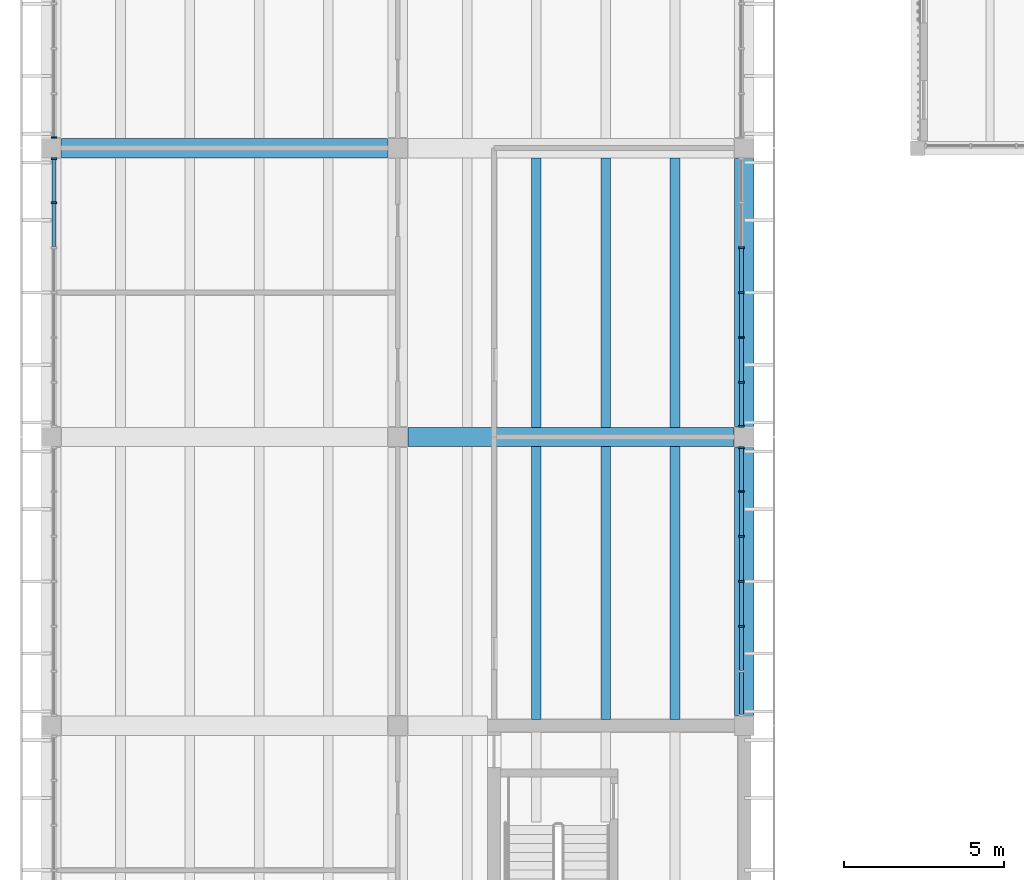
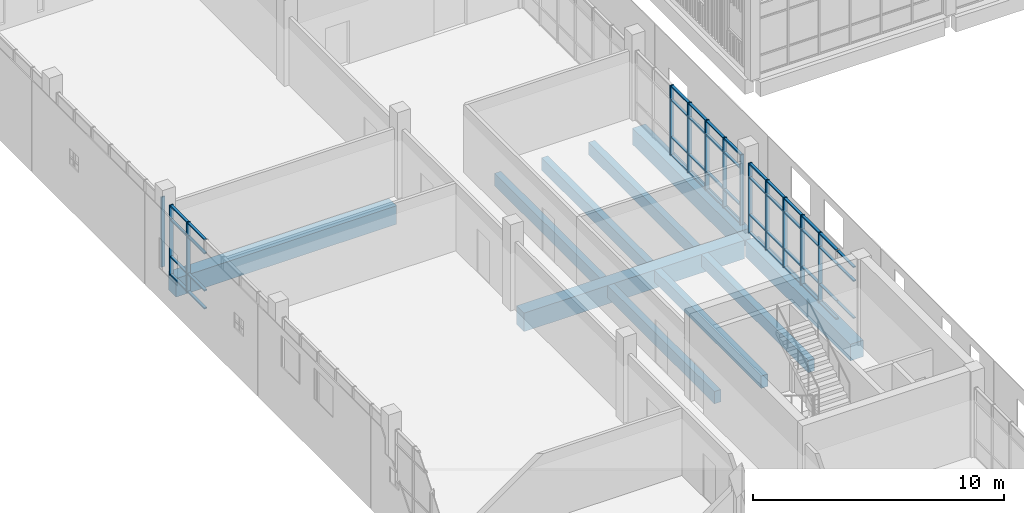
# One storey, part 21 of 88: 60 members, 10 beams, 4 elements without a shape of their own.
"""IFC4 building model written with IfcOpenShell, lengths in metres."""

from ifc_helpers import new_model, si_unit, direction, frame, origin, origin_2d, place, context, subcontext, project, spatial, rectangle, extrude, material, material_profile, profile_set, type_object, element, aggregate, save


model = new_model("IFC4")

# Units and contexts
model_context = context("Model", 3, precision=1e-05, world=origin(), true_north=direction((0.0, 1.0)))
body_context = subcontext(model_context, "Body", "Model", "MODEL_VIEW")
ifc_project = project(units=[si_unit("LENGTHUNIT", "METRE"), si_unit("AREAUNIT", "SQUARE_METRE"), si_unit("VOLUMEUNIT", "CUBIC_METRE"), si_unit("PLANEANGLEUNIT", "RADIAN"), si_unit("MASSUNIT", "GRAM", prefix="KILO")], contexts=[model_context])

# Site, building, storey
site_placement = place(None, origin())
site = spatial("IfcSite", under=ifc_project, at=site_placement, CompositionType="ELEMENT")
building_placement = place(site_placement, origin())
building = spatial("IfcBuilding", under=site, at=building_placement, Name="Merrow Basin Faculty of Sciences", CompositionType="ELEMENT")
storey_placement = place(building_placement, frame((0.0, 0.0, 9.0)))
storey = spatial("IfcBuildingStorey", under=building, at=storey_placement, Name="L02", CompositionType="ELEMENT", Elevation=9.0)

# Curtain wall, members
ifc_material_1 = material(Name="Aluminium alloy 6063", Category="aluminium")
curtain_wall_type = type_object("IfcCurtainWallType", Name="Bar unitised curtain wall 180", PredefinedType="NOTDEFINED", material=ifc_material_1)
curtain_wall_1_placement = place(storey_placement, origin())
curtain_wall_1 = element("IfcCurtainWall", 1, at=curtain_wall_1_placement, inside=storey, type_object=curtain_wall_type, Name="West curtain wall L02 5", PredefinedType="NOTDEFINED")
ifc_material_2 = material(Name="Aluminium alloy 6063", Category="aluminium")
ifc_material_profile_1 = material_profile(ifc_material_2, rectangle(XDim=0.179931640625, YDim=0.06005859375, at=origin_2d()))
ifc_profile_set_1 = profile_set([ifc_material_profile_1], Name="Aluminium alloy 6063")
member_type_1 = type_object("IfcMemberType", Name="Aluminium mullion 60x180", PredefinedType="MULLION", material=ifc_profile_set_1)
member_1_placement = place(storey_placement, frame((0.090087890625, 113.300048828125, 0.0), z_axis=(0.0, 0.0, 1.0), x_axis=(-1.0, 0.0, 0.0)))
member_1 = element("IfcMember", 2, at=member_1_placement, type_object=member_type_1, Name="CW1 mullion 6", PredefinedType="MULLION", context=body_context, shape_type="SweptSolid", body=[
    extrude(rectangle(XDim=0.179931640625, YDim=0.06005859375, at=origin_2d()), origin(), (0.0, 0.0, 1.0), 3.39990234375),
])
member_2_placement = place(storey_placement, frame((0.090087890625, 114.669921875, 0.0), z_axis=(0.0, 0.0, 1.0), x_axis=(-1.0, 0.0, 0.0)))
member_2 = element("IfcMember", 3, at=member_2_placement, type_object=member_type_1, Name="CW1 mullion 7", PredefinedType="MULLION", context=body_context, shape_type="SweptSolid", body=[
    extrude(rectangle(XDim=0.179931640625, YDim=0.06005859375, at=origin_2d()), origin(), (0.0, 0.0, 1.0), 3.39990234375),
])

# Curtain wall, member
curtain_wall_2_placement = place(storey_placement, origin())
curtain_wall_2 = element("IfcCurtainWall", 4, at=curtain_wall_2_placement, inside=storey, type_object=curtain_wall_type, Name="West curtain wall L02 6", PredefinedType="NOTDEFINED")
member_3_placement = place(storey_placement, frame((0.090087890625, 115.330078125, 0.0), z_axis=(0.0, 0.0, 1.0), x_axis=(-1.0, 0.0, 0.0)))
member_3 = element("IfcMember", 5, at=member_3_placement, type_object=member_type_1, Name="CW1 mullion 1", PredefinedType="MULLION", context=body_context, shape_type="SweptSolid", body=[
    extrude(rectangle(XDim=0.179931640625, YDim=0.06005859375, at=origin_2d()), origin(), (0.0, 0.0, 1.0), 3.39990234375),
])
aggregate(curtain_wall_2, [member_3])

# Curtain wall, members
curtain_wall_3_placement = place(storey_placement, origin())
curtain_wall_3 = element("IfcCurtainWall", 6, at=curtain_wall_3_placement, inside=storey, type_object=curtain_wall_type, Name="East curtain wall L02 4", PredefinedType="NOTDEFINED")
member_4_placement = place(storey_placement, frame((21.510009765625, 100.10009765625, 0.0), z_axis=(0.0, 0.0, 1.0), x_axis=(-1.0, 0.0, 0.0)))
member_4 = element("IfcMember", 7, at=member_4_placement, type_object=member_type_1, Name="CW1 mullion 3", PredefinedType="MULLION", context=body_context, shape_type="SweptSolid", body=[
    extrude(rectangle(XDim=0.179931640625, YDim=0.06005859375, at=origin_2d()), origin(), (0.0, 0.0, 1.0), 3.39990234375),
])
member_5_placement = place(storey_placement, frame((21.510009765625, 101.5, 0.0), z_axis=(0.0, 0.0, 1.0), x_axis=(-1.0, 0.0, 0.0)))
member_5 = element("IfcMember", 8, at=member_5_placement, type_object=member_type_1, Name="CW1 mullion 4", PredefinedType="MULLION", context=body_context, shape_type="SweptSolid", body=[
    extrude(rectangle(XDim=0.179931640625, YDim=0.06005859375, at=origin_2d()), origin(), (0.0, 0.0, 1.0), 3.39990234375),
])
member_6_placement = place(storey_placement, frame((21.510009765625, 102.89990234375, 0.0), z_axis=(0.0, 0.0, 1.0), x_axis=(-1.0, 0.0, 0.0)))
member_6 = element("IfcMember", 9, at=member_6_placement, type_object=member_type_1, Name="CW1 mullion 5", PredefinedType="MULLION", context=body_context, shape_type="SweptSolid", body=[
    extrude(rectangle(XDim=0.179931640625, YDim=0.06005859375, at=origin_2d()), origin(), (0.0, 0.0, 1.0), 3.39990234375),
])
member_7_placement = place(storey_placement, frame((21.510009765625, 104.300048828125, 0.0), z_axis=(0.0, 0.0, 1.0), x_axis=(-1.0, 0.0, 0.0)))
member_7 = element("IfcMember", 10, at=member_7_placement, type_object=member_type_1, Name="CW1 mullion 6", PredefinedType="MULLION", context=body_context, shape_type="SweptSolid", body=[
    extrude(rectangle(XDim=0.179931640625, YDim=0.06005859375, at=origin_2d()), origin(), (0.0, 0.0, 1.0), 3.39990234375),
])
member_8_placement = place(storey_placement, frame((21.510009765625, 105.669921875, 0.0), z_axis=(0.0, 0.0, 1.0), x_axis=(-1.0, 0.0, 0.0)))
member_8 = element("IfcMember", 11, at=member_8_placement, type_object=member_type_1, Name="CW1 mullion 7", PredefinedType="MULLION", context=body_context, shape_type="SweptSolid", body=[
    extrude(rectangle(XDim=0.179931640625, YDim=0.06005859375, at=origin_2d()), origin(), (0.0, 0.0, 1.0), 3.39990234375),
])

curtain_wall_4_placement = place(storey_placement, origin())
curtain_wall_4 = element("IfcCurtainWall", 12, at=curtain_wall_4_placement, inside=storey, type_object=curtain_wall_type, Name="East curtain wall L02 5", PredefinedType="NOTDEFINED")
member_9_placement = place(storey_placement, frame((21.510009765625, 106.330078125, 0.0), z_axis=(0.0, 0.0, 1.0), x_axis=(-1.0, 0.0, 0.0)))
member_9 = element("IfcMember", 13, at=member_9_placement, type_object=member_type_1, Name="CW1 mullion 1", PredefinedType="MULLION", context=body_context, shape_type="SweptSolid", body=[
    extrude(rectangle(XDim=0.179931640625, YDim=0.06005859375, at=origin_2d()), origin(), (0.0, 0.0, 1.0), 3.39990234375),
])
member_10_placement = place(storey_placement, frame((21.510009765625, 107.699951171875, 0.0), z_axis=(0.0, 0.0, 1.0), x_axis=(-1.0, 0.0, 0.0)))
member_10 = element("IfcMember", 14, at=member_10_placement, type_object=member_type_1, Name="CW1 mullion 2", PredefinedType="MULLION", context=body_context, shape_type="SweptSolid", body=[
    extrude(rectangle(XDim=0.179931640625, YDim=0.06005859375, at=origin_2d()), origin(), (0.0, 0.0, 1.0), 3.39990234375),
])
member_11_placement = place(storey_placement, frame((21.510009765625, 109.10009765625, 0.0), z_axis=(0.0, 0.0, 1.0), x_axis=(-1.0, 0.0, 0.0)))
member_11 = element("IfcMember", 15, at=member_11_placement, type_object=member_type_1, Name="CW1 mullion 3", PredefinedType="MULLION", context=body_context, shape_type="SweptSolid", body=[
    extrude(rectangle(XDim=0.179931640625, YDim=0.06005859375, at=origin_2d()), origin(), (0.0, 0.0, 1.0), 3.39990234375),
])
member_12_placement = place(storey_placement, frame((21.510009765625, 110.5, 0.0), z_axis=(0.0, 0.0, 1.0), x_axis=(-1.0, 0.0, 0.0)))
member_12 = element("IfcMember", 16, at=member_12_placement, type_object=member_type_1, Name="CW1 mullion 4", PredefinedType="MULLION", context=body_context, shape_type="SweptSolid", body=[
    extrude(rectangle(XDim=0.179931640625, YDim=0.06005859375, at=origin_2d()), origin(), (0.0, 0.0, 1.0), 3.39990234375),
])
member_13_placement = place(storey_placement, frame((21.510009765625, 111.89990234375, 0.0), z_axis=(0.0, 0.0, 1.0), x_axis=(-1.0, 0.0, 0.0)))
member_13 = element("IfcMember", 17, at=member_13_placement, type_object=member_type_1, Name="CW1 mullion 5", PredefinedType="MULLION", context=body_context, shape_type="SweptSolid", body=[
    extrude(rectangle(XDim=0.179931640625, YDim=0.06005859375, at=origin_2d()), origin(), (0.0, 0.0, 1.0), 3.39990234375),
])

# Member
ifc_material_3 = material(Name="Aluminium alloy 6063", Category="aluminium")
ifc_material_profile_2 = material_profile(ifc_material_3, rectangle(XDim=0.1201171875, YDim=0.06005859375, at=origin_2d()))
ifc_profile_set_2 = profile_set([ifc_material_profile_2], Name="Aluminium alloy 6063")
member_type_2 = type_object("IfcMemberType", Name="Aluminium transom 60x120", PredefinedType="USERDEFINED", material=ifc_profile_set_2)
member_14_placement = place(storey_placement, frame((0.090087890625, 111.929931640625, 0.030029296875), z_axis=(0.0, 1.0, 0.0), x_axis=(-1.0, 0.0, 0.0)))
member_14 = element("IfcMember", 18, at=member_14_placement, type_object=member_type_2, Name="CW1 transom 5.1", ObjectType="TRANSOM", PredefinedType="USERDEFINED", context=body_context, shape_type="SweptSolid", body=[
    extrude(rectangle(XDim=0.1201171875, YDim=0.06005859375, at=origin_2d()), origin(), (0.0, 0.0, 1.0), 1.340087890625),
])

member_15_placement = place(storey_placement, frame((0.090087890625, 111.929931640625, 0.89990234375), z_axis=(0.0, 1.0, 0.0), x_axis=(-1.0, 0.0, 0.0)))
member_15 = element("IfcMember", 19, at=member_15_placement, type_object=member_type_2, Name="CW1 transom 5.2", ObjectType="TRANSOM", PredefinedType="USERDEFINED", context=body_context, shape_type="SweptSolid", body=[
    extrude(rectangle(XDim=0.1201171875, YDim=0.06005859375, at=origin_2d()), origin(), (0.0, 0.0, 1.0), 1.340087890625),
])

member_16_placement = place(storey_placement, frame((0.090087890625, 111.929931640625, 2.699951171875), z_axis=(0.0, 1.0, 0.0), x_axis=(-1.0, 0.0, 0.0)))
member_16 = element("IfcMember", 20, at=member_16_placement, type_object=member_type_2, Name="CW1 transom 5.3", ObjectType="TRANSOM", PredefinedType="USERDEFINED", context=body_context, shape_type="SweptSolid", body=[
    extrude(rectangle(XDim=0.1201171875, YDim=0.06005859375, at=origin_2d()), origin(), (0.0, 0.0, 1.0), 1.340087890625),
])

member_17_placement = place(storey_placement, frame((0.090087890625, 111.929931640625, 3.3701171875), z_axis=(0.0, 1.0, 0.0), x_axis=(-1.0, 0.0, 0.0)))
member_17 = element("IfcMember", 21, at=member_17_placement, type_object=member_type_2, Name="CW1 transom 5.4", ObjectType="TRANSOM", PredefinedType="USERDEFINED", context=body_context, shape_type="SweptSolid", body=[
    extrude(rectangle(XDim=0.1201171875, YDim=0.06005859375, at=origin_2d()), origin(), (0.0, 0.0, 1.0), 1.340087890625),
])

member_18_placement = place(storey_placement, frame((0.090087890625, 113.330078125, 0.030029296875), z_axis=(0.0, 1.0, 0.0), x_axis=(-1.0, 0.0, 0.0)))
member_18 = element("IfcMember", 22, at=member_18_placement, type_object=member_type_2, Name="CW1 transom 6.1", ObjectType="TRANSOM", PredefinedType="USERDEFINED", context=body_context, shape_type="SweptSolid", body=[
    extrude(rectangle(XDim=0.1201171875, YDim=0.06005859375, at=origin_2d()), origin(), (0.0, 0.0, 1.0), 1.309814453125),
])

member_19_placement = place(storey_placement, frame((0.090087890625, 113.330078125, 0.89990234375), z_axis=(0.0, 1.0, 0.0), x_axis=(-1.0, 0.0, 0.0)))
member_19 = element("IfcMember", 23, at=member_19_placement, type_object=member_type_2, Name="CW1 transom 6.2", ObjectType="TRANSOM", PredefinedType="USERDEFINED", context=body_context, shape_type="SweptSolid", body=[
    extrude(rectangle(XDim=0.1201171875, YDim=0.06005859375, at=origin_2d()), origin(), (0.0, 0.0, 1.0), 1.309814453125),
])

member_20_placement = place(storey_placement, frame((0.090087890625, 113.330078125, 2.699951171875), z_axis=(0.0, 1.0, 0.0), x_axis=(-1.0, 0.0, 0.0)))
member_20 = element("IfcMember", 24, at=member_20_placement, type_object=member_type_2, Name="CW1 transom 6.3", ObjectType="TRANSOM", PredefinedType="USERDEFINED", context=body_context, shape_type="SweptSolid", body=[
    extrude(rectangle(XDim=0.1201171875, YDim=0.06005859375, at=origin_2d()), origin(), (0.0, 0.0, 1.0), 1.309814453125),
])

member_21_placement = place(storey_placement, frame((0.090087890625, 113.330078125, 3.3701171875), z_axis=(0.0, 1.0, 0.0), x_axis=(-1.0, 0.0, 0.0)))
member_21 = element("IfcMember", 25, at=member_21_placement, type_object=member_type_2, Name="CW1 transom 6.4", ObjectType="TRANSOM", PredefinedType="USERDEFINED", context=body_context, shape_type="SweptSolid", body=[
    extrude(rectangle(XDim=0.1201171875, YDim=0.06005859375, at=origin_2d()), origin(), (0.0, 0.0, 1.0), 1.309814453125),
])

aggregate(curtain_wall_1, [member_1, member_2, member_14, member_15, member_16, member_17, member_18, member_19, member_20, member_21])

member_22_placement = place(storey_placement, frame((21.510009765625, 97.360107421875, 0.89990234375), z_axis=(0.0, 1.0, 0.0), x_axis=(-1.0, 0.0, 0.0)))
member_22 = element("IfcMember", 26, at=member_22_placement, type_object=member_type_2, Name="CW1 transom 1.2", ObjectType="TRANSOM", PredefinedType="USERDEFINED", context=body_context, shape_type="SweptSolid", body=[
    extrude(rectangle(XDim=0.1201171875, YDim=0.06005859375, at=origin_2d()), origin(), (0.0, 0.0, 1.0), 1.309814453125),
])

member_23_placement = place(storey_placement, frame((21.510009765625, 97.360107421875, 2.699951171875), z_axis=(0.0, 1.0, 0.0), x_axis=(-1.0, 0.0, 0.0)))
member_23 = element("IfcMember", 27, at=member_23_placement, type_object=member_type_2, Name="CW1 transom 1.3", ObjectType="TRANSOM", PredefinedType="USERDEFINED", context=body_context, shape_type="SweptSolid", body=[
    extrude(rectangle(XDim=0.1201171875, YDim=0.06005859375, at=origin_2d()), origin(), (0.0, 0.0, 1.0), 1.309814453125),
])

member_24_placement = place(storey_placement, frame((21.510009765625, 97.360107421875, 3.3701171875), z_axis=(0.0, 1.0, 0.0), x_axis=(-1.0, 0.0, 0.0)))
member_24 = element("IfcMember", 28, at=member_24_placement, type_object=member_type_2, Name="CW1 transom 1.4", ObjectType="TRANSOM", PredefinedType="USERDEFINED", context=body_context, shape_type="SweptSolid", body=[
    extrude(rectangle(XDim=0.1201171875, YDim=0.06005859375, at=origin_2d()), origin(), (0.0, 0.0, 1.0), 1.309814453125),
])

member_25_placement = place(storey_placement, frame((21.510009765625, 98.72998046875, 0.030029296875), z_axis=(0.0, 1.0, 0.0), x_axis=(-1.0, 0.0, 0.0)))
member_25 = element("IfcMember", 29, at=member_25_placement, type_object=member_type_2, Name="CW1 transom 2.1", ObjectType="TRANSOM", PredefinedType="USERDEFINED", context=body_context, shape_type="SweptSolid", body=[
    extrude(rectangle(XDim=0.1201171875, YDim=0.06005859375, at=origin_2d()), origin(), (0.0, 0.0, 1.0), 1.340087890625),
])

member_26_placement = place(storey_placement, frame((21.510009765625, 98.72998046875, 0.89990234375), z_axis=(0.0, 1.0, 0.0), x_axis=(-1.0, 0.0, 0.0)))
member_26 = element("IfcMember", 30, at=member_26_placement, type_object=member_type_2, Name="CW1 transom 2.2", ObjectType="TRANSOM", PredefinedType="USERDEFINED", context=body_context, shape_type="SweptSolid", body=[
    extrude(rectangle(XDim=0.1201171875, YDim=0.06005859375, at=origin_2d()), origin(), (0.0, 0.0, 1.0), 1.340087890625),
])

member_27_placement = place(storey_placement, frame((21.510009765625, 98.72998046875, 2.699951171875), z_axis=(0.0, 1.0, 0.0), x_axis=(-1.0, 0.0, 0.0)))
member_27 = element("IfcMember", 31, at=member_27_placement, type_object=member_type_2, Name="CW1 transom 2.3", ObjectType="TRANSOM", PredefinedType="USERDEFINED", context=body_context, shape_type="SweptSolid", body=[
    extrude(rectangle(XDim=0.1201171875, YDim=0.06005859375, at=origin_2d()), origin(), (0.0, 0.0, 1.0), 1.340087890625),
])

member_28_placement = place(storey_placement, frame((21.510009765625, 98.72998046875, 3.3701171875), z_axis=(0.0, 1.0, 0.0), x_axis=(-1.0, 0.0, 0.0)))
member_28 = element("IfcMember", 32, at=member_28_placement, type_object=member_type_2, Name="CW1 transom 2.4", ObjectType="TRANSOM", PredefinedType="USERDEFINED", context=body_context, shape_type="SweptSolid", body=[
    extrude(rectangle(XDim=0.1201171875, YDim=0.06005859375, at=origin_2d()), origin(), (0.0, 0.0, 1.0), 1.340087890625),
])

member_29_placement = place(storey_placement, frame((21.510009765625, 100.1298828125, 0.030029296875), z_axis=(0.0, 1.0, 0.0), x_axis=(-1.0, 0.0, 0.0)))
member_29 = element("IfcMember", 33, at=member_29_placement, type_object=member_type_2, Name="CW1 transom 3.1", ObjectType="TRANSOM", PredefinedType="USERDEFINED", context=body_context, shape_type="SweptSolid", body=[
    extrude(rectangle(XDim=0.1201171875, YDim=0.06005859375, at=origin_2d()), origin(), (0.0, 0.0, 1.0), 1.340087890625),
])

member_30_placement = place(storey_placement, frame((21.510009765625, 100.1298828125, 0.89990234375), z_axis=(0.0, 1.0, 0.0), x_axis=(-1.0, 0.0, 0.0)))
member_30 = element("IfcMember", 34, at=member_30_placement, type_object=member_type_2, Name="CW1 transom 3.2", ObjectType="TRANSOM", PredefinedType="USERDEFINED", context=body_context, shape_type="SweptSolid", body=[
    extrude(rectangle(XDim=0.1201171875, YDim=0.06005859375, at=origin_2d()), origin(), (0.0, 0.0, 1.0), 1.340087890625),
])

member_31_placement = place(storey_placement, frame((21.510009765625, 100.1298828125, 2.699951171875), z_axis=(0.0, 1.0, 0.0), x_axis=(-1.0, 0.0, 0.0)))
member_31 = element("IfcMember", 35, at=member_31_placement, type_object=member_type_2, Name="CW1 transom 3.3", ObjectType="TRANSOM", PredefinedType="USERDEFINED", context=body_context, shape_type="SweptSolid", body=[
    extrude(rectangle(XDim=0.1201171875, YDim=0.06005859375, at=origin_2d()), origin(), (0.0, 0.0, 1.0), 1.340087890625),
])

member_32_placement = place(storey_placement, frame((21.510009765625, 100.1298828125, 3.3701171875), z_axis=(0.0, 1.0, 0.0), x_axis=(-1.0, 0.0, 0.0)))
member_32 = element("IfcMember", 36, at=member_32_placement, type_object=member_type_2, Name="CW1 transom 3.4", ObjectType="TRANSOM", PredefinedType="USERDEFINED", context=body_context, shape_type="SweptSolid", body=[
    extrude(rectangle(XDim=0.1201171875, YDim=0.06005859375, at=origin_2d()), origin(), (0.0, 0.0, 1.0), 1.340087890625),
])

member_33_placement = place(storey_placement, frame((21.510009765625, 101.530029296875, 0.030029296875), z_axis=(0.0, 1.0, 0.0), x_axis=(-1.0, 0.0, 0.0)))
member_33 = element("IfcMember", 37, at=member_33_placement, type_object=member_type_2, Name="CW1 transom 4.1", ObjectType="TRANSOM", PredefinedType="USERDEFINED", context=body_context, shape_type="SweptSolid", body=[
    extrude(rectangle(XDim=0.1201171875, YDim=0.06005859375, at=origin_2d()), origin(), (0.0, 0.0, 1.0), 1.340087890625),
])

member_34_placement = place(storey_placement, frame((21.510009765625, 101.530029296875, 0.89990234375), z_axis=(0.0, 1.0, 0.0), x_axis=(-1.0, 0.0, 0.0)))
member_34 = element("IfcMember", 38, at=member_34_placement, type_object=member_type_2, Name="CW1 transom 4.2", ObjectType="TRANSOM", PredefinedType="USERDEFINED", context=body_context, shape_type="SweptSolid", body=[
    extrude(rectangle(XDim=0.1201171875, YDim=0.06005859375, at=origin_2d()), origin(), (0.0, 0.0, 1.0), 1.340087890625),
])

member_35_placement = place(storey_placement, frame((21.510009765625, 101.530029296875, 2.699951171875), z_axis=(0.0, 1.0, 0.0), x_axis=(-1.0, 0.0, 0.0)))
member_35 = element("IfcMember", 39, at=member_35_placement, type_object=member_type_2, Name="CW1 transom 4.3", ObjectType="TRANSOM", PredefinedType="USERDEFINED", context=body_context, shape_type="SweptSolid", body=[
    extrude(rectangle(XDim=0.1201171875, YDim=0.06005859375, at=origin_2d()), origin(), (0.0, 0.0, 1.0), 1.340087890625),
])

member_36_placement = place(storey_placement, frame((21.510009765625, 101.530029296875, 3.3701171875), z_axis=(0.0, 1.0, 0.0), x_axis=(-1.0, 0.0, 0.0)))
member_36 = element("IfcMember", 40, at=member_36_placement, type_object=member_type_2, Name="CW1 transom 4.4", ObjectType="TRANSOM", PredefinedType="USERDEFINED", context=body_context, shape_type="SweptSolid", body=[
    extrude(rectangle(XDim=0.1201171875, YDim=0.06005859375, at=origin_2d()), origin(), (0.0, 0.0, 1.0), 1.340087890625),
])

member_37_placement = place(storey_placement, frame((21.510009765625, 102.929931640625, 0.030029296875), z_axis=(0.0, 1.0, 0.0), x_axis=(-1.0, 0.0, 0.0)))
member_37 = element("IfcMember", 41, at=member_37_placement, type_object=member_type_2, Name="CW1 transom 5.1", ObjectType="TRANSOM", PredefinedType="USERDEFINED", context=body_context, shape_type="SweptSolid", body=[
    extrude(rectangle(XDim=0.1201171875, YDim=0.06005859375, at=origin_2d()), origin(), (0.0, 0.0, 1.0), 1.340087890625),
])

member_38_placement = place(storey_placement, frame((21.510009765625, 102.929931640625, 0.89990234375), z_axis=(0.0, 1.0, 0.0), x_axis=(-1.0, 0.0, 0.0)))
member_38 = element("IfcMember", 42, at=member_38_placement, type_object=member_type_2, Name="CW1 transom 5.2", ObjectType="TRANSOM", PredefinedType="USERDEFINED", context=body_context, shape_type="SweptSolid", body=[
    extrude(rectangle(XDim=0.1201171875, YDim=0.06005859375, at=origin_2d()), origin(), (0.0, 0.0, 1.0), 1.340087890625),
])

member_39_placement = place(storey_placement, frame((21.510009765625, 102.929931640625, 2.699951171875), z_axis=(0.0, 1.0, 0.0), x_axis=(-1.0, 0.0, 0.0)))
member_39 = element("IfcMember", 43, at=member_39_placement, type_object=member_type_2, Name="CW1 transom 5.3", ObjectType="TRANSOM", PredefinedType="USERDEFINED", context=body_context, shape_type="SweptSolid", body=[
    extrude(rectangle(XDim=0.1201171875, YDim=0.06005859375, at=origin_2d()), origin(), (0.0, 0.0, 1.0), 1.340087890625),
])

member_40_placement = place(storey_placement, frame((21.510009765625, 102.929931640625, 3.3701171875), z_axis=(0.0, 1.0, 0.0), x_axis=(-1.0, 0.0, 0.0)))
member_40 = element("IfcMember", 44, at=member_40_placement, type_object=member_type_2, Name="CW1 transom 5.4", ObjectType="TRANSOM", PredefinedType="USERDEFINED", context=body_context, shape_type="SweptSolid", body=[
    extrude(rectangle(XDim=0.1201171875, YDim=0.06005859375, at=origin_2d()), origin(), (0.0, 0.0, 1.0), 1.340087890625),
])

member_41_placement = place(storey_placement, frame((21.510009765625, 104.330078125, 0.030029296875), z_axis=(0.0, 1.0, 0.0), x_axis=(-1.0, 0.0, 0.0)))
member_41 = element("IfcMember", 45, at=member_41_placement, type_object=member_type_2, Name="CW1 transom 6.1", ObjectType="TRANSOM", PredefinedType="USERDEFINED", context=body_context, shape_type="SweptSolid", body=[
    extrude(rectangle(XDim=0.1201171875, YDim=0.06005859375, at=origin_2d()), origin(), (0.0, 0.0, 1.0), 1.309814453125),
])

member_42_placement = place(storey_placement, frame((21.510009765625, 104.330078125, 0.89990234375), z_axis=(0.0, 1.0, 0.0), x_axis=(-1.0, 0.0, 0.0)))
member_42 = element("IfcMember", 46, at=member_42_placement, type_object=member_type_2, Name="CW1 transom 6.2", ObjectType="TRANSOM", PredefinedType="USERDEFINED", context=body_context, shape_type="SweptSolid", body=[
    extrude(rectangle(XDim=0.1201171875, YDim=0.06005859375, at=origin_2d()), origin(), (0.0, 0.0, 1.0), 1.309814453125),
])

member_43_placement = place(storey_placement, frame((21.510009765625, 104.330078125, 2.699951171875), z_axis=(0.0, 1.0, 0.0), x_axis=(-1.0, 0.0, 0.0)))
member_43 = element("IfcMember", 47, at=member_43_placement, type_object=member_type_2, Name="CW1 transom 6.3", ObjectType="TRANSOM", PredefinedType="USERDEFINED", context=body_context, shape_type="SweptSolid", body=[
    extrude(rectangle(XDim=0.1201171875, YDim=0.06005859375, at=origin_2d()), origin(), (0.0, 0.0, 1.0), 1.309814453125),
])

member_44_placement = place(storey_placement, frame((21.510009765625, 104.330078125, 3.3701171875), z_axis=(0.0, 1.0, 0.0), x_axis=(-1.0, 0.0, 0.0)))
member_44 = element("IfcMember", 48, at=member_44_placement, type_object=member_type_2, Name="CW1 transom 6.4", ObjectType="TRANSOM", PredefinedType="USERDEFINED", context=body_context, shape_type="SweptSolid", body=[
    extrude(rectangle(XDim=0.1201171875, YDim=0.06005859375, at=origin_2d()), origin(), (0.0, 0.0, 1.0), 1.309814453125),
])

aggregate(curtain_wall_3, [member_4, member_5, member_6, member_7, member_8, member_22, member_23, member_24, member_25, member_26, member_27, member_28, member_29, member_30, member_31, member_32, member_33, member_34, member_35, member_36, member_37, member_38, member_39, member_40, member_41, member_42, member_43, member_44])

member_45_placement = place(storey_placement, frame((21.510009765625, 106.360107421875, 0.030029296875), z_axis=(0.0, 1.0, 0.0), x_axis=(-1.0, 0.0, 0.0)))
member_45 = element("IfcMember", 49, at=member_45_placement, type_object=member_type_2, Name="CW1 transom 1.1", ObjectType="TRANSOM", PredefinedType="USERDEFINED", context=body_context, shape_type="SweptSolid", body=[
    extrude(rectangle(XDim=0.1201171875, YDim=0.06005859375, at=origin_2d()), origin(), (0.0, 0.0, 1.0), 1.309814453125),
])

member_46_placement = place(storey_placement, frame((21.510009765625, 106.360107421875, 0.89990234375), z_axis=(0.0, 1.0, 0.0), x_axis=(-1.0, 0.0, 0.0)))
member_46 = element("IfcMember", 50, at=member_46_placement, type_object=member_type_2, Name="CW1 transom 1.2", ObjectType="TRANSOM", PredefinedType="USERDEFINED", context=body_context, shape_type="SweptSolid", body=[
    extrude(rectangle(XDim=0.1201171875, YDim=0.06005859375, at=origin_2d()), origin(), (0.0, 0.0, 1.0), 1.309814453125),
])

member_47_placement = place(storey_placement, frame((21.510009765625, 106.360107421875, 2.699951171875), z_axis=(0.0, 1.0, 0.0), x_axis=(-1.0, 0.0, 0.0)))
member_47 = element("IfcMember", 51, at=member_47_placement, type_object=member_type_2, Name="CW1 transom 1.3", ObjectType="TRANSOM", PredefinedType="USERDEFINED", context=body_context, shape_type="SweptSolid", body=[
    extrude(rectangle(XDim=0.1201171875, YDim=0.06005859375, at=origin_2d()), origin(), (0.0, 0.0, 1.0), 1.309814453125),
])

member_48_placement = place(storey_placement, frame((21.510009765625, 106.360107421875, 3.3701171875), z_axis=(0.0, 1.0, 0.0), x_axis=(-1.0, 0.0, 0.0)))
member_48 = element("IfcMember", 52, at=member_48_placement, type_object=member_type_2, Name="CW1 transom 1.4", ObjectType="TRANSOM", PredefinedType="USERDEFINED", context=body_context, shape_type="SweptSolid", body=[
    extrude(rectangle(XDim=0.1201171875, YDim=0.06005859375, at=origin_2d()), origin(), (0.0, 0.0, 1.0), 1.309814453125),
])

member_49_placement = place(storey_placement, frame((21.510009765625, 107.72998046875, 0.030029296875), z_axis=(0.0, 1.0, 0.0), x_axis=(-1.0, 0.0, 0.0)))
member_49 = element("IfcMember", 53, at=member_49_placement, type_object=member_type_2, Name="CW1 transom 2.1", ObjectType="TRANSOM", PredefinedType="USERDEFINED", context=body_context, shape_type="SweptSolid", body=[
    extrude(rectangle(XDim=0.1201171875, YDim=0.06005859375, at=origin_2d()), origin(), (0.0, 0.0, 1.0), 1.340087890625),
])

member_50_placement = place(storey_placement, frame((21.510009765625, 107.72998046875, 0.89990234375), z_axis=(0.0, 1.0, 0.0), x_axis=(-1.0, 0.0, 0.0)))
member_50 = element("IfcMember", 54, at=member_50_placement, type_object=member_type_2, Name="CW1 transom 2.2", ObjectType="TRANSOM", PredefinedType="USERDEFINED", context=body_context, shape_type="SweptSolid", body=[
    extrude(rectangle(XDim=0.1201171875, YDim=0.06005859375, at=origin_2d()), origin(), (0.0, 0.0, 1.0), 1.340087890625),
])

member_51_placement = place(storey_placement, frame((21.510009765625, 107.72998046875, 2.699951171875), z_axis=(0.0, 1.0, 0.0), x_axis=(-1.0, 0.0, 0.0)))
member_51 = element("IfcMember", 55, at=member_51_placement, type_object=member_type_2, Name="CW1 transom 2.3", ObjectType="TRANSOM", PredefinedType="USERDEFINED", context=body_context, shape_type="SweptSolid", body=[
    extrude(rectangle(XDim=0.1201171875, YDim=0.06005859375, at=origin_2d()), origin(), (0.0, 0.0, 1.0), 1.340087890625),
])

member_52_placement = place(storey_placement, frame((21.510009765625, 107.72998046875, 3.3701171875), z_axis=(0.0, 1.0, 0.0), x_axis=(-1.0, 0.0, 0.0)))
member_52 = element("IfcMember", 56, at=member_52_placement, type_object=member_type_2, Name="CW1 transom 2.4", ObjectType="TRANSOM", PredefinedType="USERDEFINED", context=body_context, shape_type="SweptSolid", body=[
    extrude(rectangle(XDim=0.1201171875, YDim=0.06005859375, at=origin_2d()), origin(), (0.0, 0.0, 1.0), 1.340087890625),
])

member_53_placement = place(storey_placement, frame((21.510009765625, 109.1298828125, 0.030029296875), z_axis=(0.0, 1.0, 0.0), x_axis=(-1.0, 0.0, 0.0)))
member_53 = element("IfcMember", 57, at=member_53_placement, type_object=member_type_2, Name="CW1 transom 3.1", ObjectType="TRANSOM", PredefinedType="USERDEFINED", context=body_context, shape_type="SweptSolid", body=[
    extrude(rectangle(XDim=0.1201171875, YDim=0.06005859375, at=origin_2d()), origin(), (0.0, 0.0, 1.0), 1.340087890625),
])

member_54_placement = place(storey_placement, frame((21.510009765625, 109.1298828125, 0.89990234375), z_axis=(0.0, 1.0, 0.0), x_axis=(-1.0, 0.0, 0.0)))
member_54 = element("IfcMember", 58, at=member_54_placement, type_object=member_type_2, Name="CW1 transom 3.2", ObjectType="TRANSOM", PredefinedType="USERDEFINED", context=body_context, shape_type="SweptSolid", body=[
    extrude(rectangle(XDim=0.1201171875, YDim=0.06005859375, at=origin_2d()), origin(), (0.0, 0.0, 1.0), 1.340087890625),
])

member_55_placement = place(storey_placement, frame((21.510009765625, 109.1298828125, 2.699951171875), z_axis=(0.0, 1.0, 0.0), x_axis=(-1.0, 0.0, 0.0)))
member_55 = element("IfcMember", 59, at=member_55_placement, type_object=member_type_2, Name="CW1 transom 3.3", ObjectType="TRANSOM", PredefinedType="USERDEFINED", context=body_context, shape_type="SweptSolid", body=[
    extrude(rectangle(XDim=0.1201171875, YDim=0.06005859375, at=origin_2d()), origin(), (0.0, 0.0, 1.0), 1.340087890625),
])

member_56_placement = place(storey_placement, frame((21.510009765625, 109.1298828125, 3.3701171875), z_axis=(0.0, 1.0, 0.0), x_axis=(-1.0, 0.0, 0.0)))
member_56 = element("IfcMember", 60, at=member_56_placement, type_object=member_type_2, Name="CW1 transom 3.4", ObjectType="TRANSOM", PredefinedType="USERDEFINED", context=body_context, shape_type="SweptSolid", body=[
    extrude(rectangle(XDim=0.1201171875, YDim=0.06005859375, at=origin_2d()), origin(), (0.0, 0.0, 1.0), 1.340087890625),
])

member_57_placement = place(storey_placement, frame((21.510009765625, 110.530029296875, 0.030029296875), z_axis=(0.0, 1.0, 0.0), x_axis=(-1.0, 0.0, 0.0)))
member_57 = element("IfcMember", 61, at=member_57_placement, type_object=member_type_2, Name="CW1 transom 4.1", ObjectType="TRANSOM", PredefinedType="USERDEFINED", context=body_context, shape_type="SweptSolid", body=[
    extrude(rectangle(XDim=0.1201171875, YDim=0.06005859375, at=origin_2d()), origin(), (0.0, 0.0, 1.0), 1.340087890625),
])

member_58_placement = place(storey_placement, frame((21.510009765625, 110.530029296875, 0.89990234375), z_axis=(0.0, 1.0, 0.0), x_axis=(-1.0, 0.0, 0.0)))
member_58 = element("IfcMember", 62, at=member_58_placement, type_object=member_type_2, Name="CW1 transom 4.2", ObjectType="TRANSOM", PredefinedType="USERDEFINED", context=body_context, shape_type="SweptSolid", body=[
    extrude(rectangle(XDim=0.1201171875, YDim=0.06005859375, at=origin_2d()), origin(), (0.0, 0.0, 1.0), 1.340087890625),
])

member_59_placement = place(storey_placement, frame((21.510009765625, 110.530029296875, 2.699951171875), z_axis=(0.0, 1.0, 0.0), x_axis=(-1.0, 0.0, 0.0)))
member_59 = element("IfcMember", 63, at=member_59_placement, type_object=member_type_2, Name="CW1 transom 4.3", ObjectType="TRANSOM", PredefinedType="USERDEFINED", context=body_context, shape_type="SweptSolid", body=[
    extrude(rectangle(XDim=0.1201171875, YDim=0.06005859375, at=origin_2d()), origin(), (0.0, 0.0, 1.0), 1.340087890625),
])

member_60_placement = place(storey_placement, frame((21.510009765625, 110.530029296875, 3.3701171875), z_axis=(0.0, 1.0, 0.0), x_axis=(-1.0, 0.0, 0.0)))
member_60 = element("IfcMember", 64, at=member_60_placement, type_object=member_type_2, Name="CW1 transom 4.4", ObjectType="TRANSOM", PredefinedType="USERDEFINED", context=body_context, shape_type="SweptSolid", body=[
    extrude(rectangle(XDim=0.1201171875, YDim=0.06005859375, at=origin_2d()), origin(), (0.0, 0.0, 1.0), 1.340087890625),
])

aggregate(curtain_wall_4, [member_9, member_10, member_11, member_12, member_13, member_45, member_46, member_47, member_48, member_49, member_50, member_51, member_52, member_53, member_54, member_55, member_56, member_57, member_58, member_59, member_60])

# Beams
ifc_material_4 = material(Name="Concrete C40/50", Category="concrete")
ifc_material_profile_3 = material_profile(ifc_material_4, rectangle(XDim=0.60009765625, YDim=0.800048828125, at=origin_2d()))
ifc_profile_set_3 = profile_set([ifc_material_profile_3], Name="Concrete C40/50")
beam_type_1 = type_object("IfcBeamType", Name="Beam RC600x800 C40/50", PredefinedType="BEAM", material=ifc_profile_set_3)
for number, where, z_axis, x_axis, name in (
    (65, (21.60009765625, 97.324951171875, -0.699951171875), (0.0, 1.0, 0.0), (-1.0, 0.0, 0.0), "B2 L02 031"),
    (66, (21.60009765625, 106.324951171875, -0.699951171875), (0.0, 1.0, 0.0), (-1.0, 0.0, 0.0), "B2 L02 032"),
):
    element("IfcBeam", number, at=place(storey_placement, frame(where, z_axis=z_axis, x_axis=x_axis)), inside=storey, type_object=beam_type_1, Name=name, PredefinedType="BEAM", context=body_context, shape_type="SweptSolid", body=[
        extrude(rectangle(XDim=0.60009765625, YDim=0.800048828125, at=origin_2d()), origin(), (0.0, 0.0, 1.0), 8.35009765625),
    ])
ifc_material_5 = material(Name="Concrete C40/50", Category="concrete")
ifc_material_profile_4 = material_profile(ifc_material_5, rectangle(XDim=0.60009765625, YDim=0.89990234375, at=origin_2d()))
ifc_profile_set_4 = profile_set([ifc_material_profile_4], Name="Concrete C40/50")
beam_type_2 = type_object("IfcBeamType", Name="Beam RC600x900 C40/50", PredefinedType="BEAM", material=ifc_profile_set_4)
beam_1_placement = place(storey_placement, frame((11.125, 106.0, -0.75), z_axis=(1.0, 0.0, 0.0), x_axis=(0.0, 1.0, 0.0)))
element("IfcBeam", 67, at=beam_1_placement, inside=storey, type_object=beam_type_2, Name="B1 L02 010", PredefinedType="BEAM", context=body_context, shape_type="SweptSolid", body=[
    extrude(rectangle(XDim=0.60009765625, YDim=0.89990234375, at=origin_2d()), origin(), (0.0, 0.0, 1.0), 10.14990234375),
])
beam_2_placement = place(storey_placement, frame((0.324951171875, 115.0, -0.75), z_axis=(1.0, 0.0, 0.0), x_axis=(0.0, 1.0, 0.0)))
element("IfcBeam", 68, at=beam_2_placement, inside=storey, type_object=beam_type_2, Name="B1 L02 011", PredefinedType="BEAM", context=body_context, shape_type="SweptSolid", body=[
    extrude(rectangle(XDim=0.60009765625, YDim=0.89990234375, at=origin_2d()), origin(), (0.0, 0.0, 1.0), 10.150146484375),
])
ifc_material_6 = material(Name="Concrete C40/50", Category="concrete")
ifc_material_profile_5 = material_profile(ifc_material_6, rectangle(XDim=0.300048828125, YDim=0.60009765625, at=origin_2d()))
ifc_profile_set_5 = profile_set([ifc_material_profile_5], Name="Concrete C40/50")
beam_type_3 = type_object("IfcBeamType", Name="Laboratory floor joist RC300x600 C40/50", PredefinedType="BEAM", material=ifc_profile_set_5)
for number, where, z_axis, x_axis, name in (
    (69, (15.1201171875, 97.199951171875, -0.60009765625), (0.0, 1.0, 0.0), (-1.0, 0.0, 0.0), "JL1 L02 086"),
    (70, (17.280029296875, 97.199951171875, -0.60009765625), (0.0, 1.0, 0.0), (-1.0, 0.0, 0.0), "JL1 L02 087"),
    (71, (19.43994140625, 97.199951171875, -0.60009765625), (0.0, 1.0, 0.0), (-1.0, 0.0, 0.0), "JL1 L02 088"),
):
    element("IfcBeam", number, at=place(storey_placement, frame(where, z_axis=z_axis, x_axis=x_axis)), inside=storey, type_object=beam_type_3, Name=name, PredefinedType="BEAM", context=body_context, shape_type="SweptSolid", body=[
        extrude(rectangle(XDim=0.300048828125, YDim=0.60009765625, at=origin_2d()), origin(), (0.0, 0.0, 1.0), 8.5),
    ])
for number, where, z_axis, x_axis, name in (
    (72, (15.1201171875, 106.300048828125, -0.60009765625), (0.0, 1.0, 0.0), (-1.0, 0.0, 0.0), "JL1 L02 090"),
    (73, (17.280029296875, 106.300048828125, -0.60009765625), (0.0, 1.0, 0.0), (-1.0, 0.0, 0.0), "JL1 L02 091"),
    (74, (19.43994140625, 106.300048828125, -0.60009765625), (0.0, 1.0, 0.0), (-1.0, 0.0, 0.0), "JL1 L02 092"),
):
    element("IfcBeam", number, at=place(storey_placement, frame(where, z_axis=z_axis, x_axis=x_axis)), inside=storey, type_object=beam_type_3, Name=name, PredefinedType="BEAM", context=body_context, shape_type="SweptSolid", body=[
        extrude(rectangle(XDim=0.300048828125, YDim=0.60009765625, at=origin_2d()), origin(), (0.0, 0.0, 1.0), 8.39990234375),
    ])

save(model, "model.ifc")
